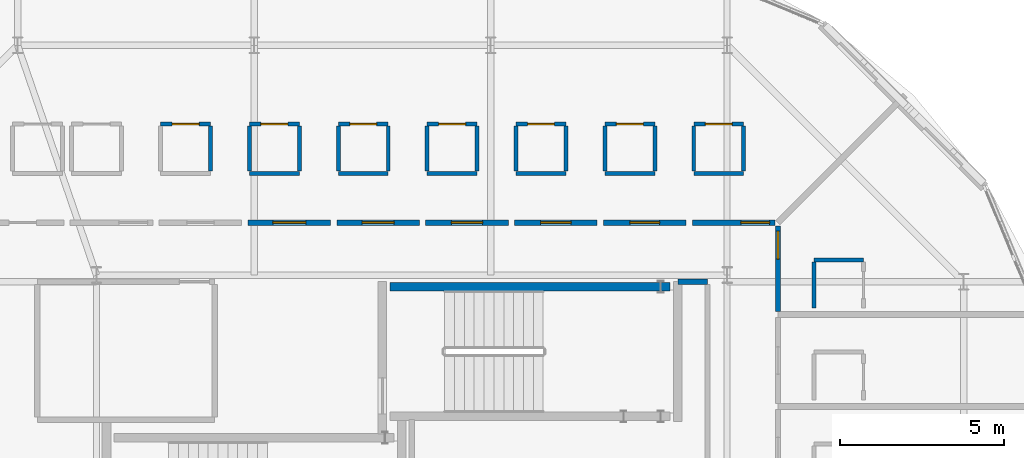
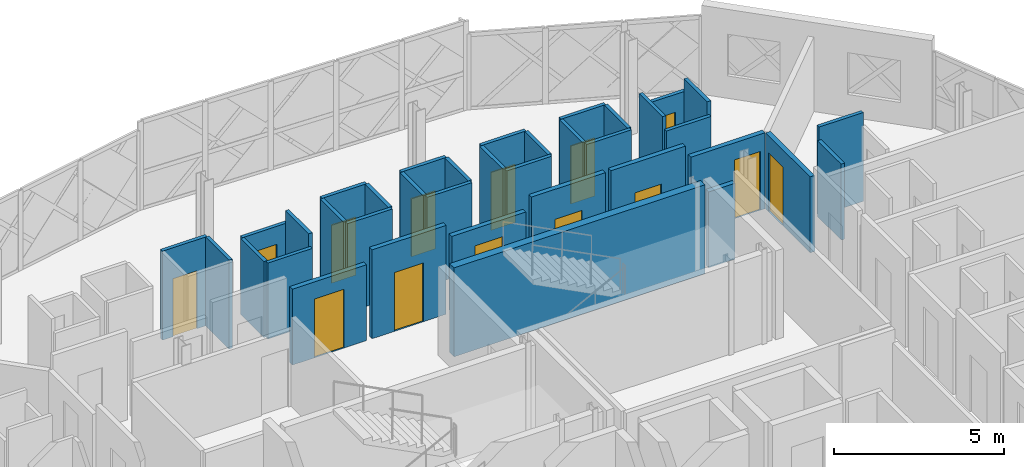
# One storey, part 20 of 26: 37 walls, 14 doors, 14 openings.
"""IFC4 building model written with IfcOpenShell, lengths in metres."""

from ifc_helpers import new_model, si_unit, direction, frame, frame_2d, origin, place, context, subcontext, project, spatial, rectangle, extrude, material, layer, layer_set, type_object, element, fill, save


model = new_model("IFC4")

# Units and contexts
model_context = context("Model", 3, precision=1e-05, world=origin(), true_north=direction((0.0, 1.0)))
body_context = subcontext(model_context, "Body", "Model", "MODEL_VIEW")
ifc_project = project(units=[si_unit("LENGTHUNIT", "METRE"), si_unit("AREAUNIT", "SQUARE_METRE"), si_unit("VOLUMEUNIT", "CUBIC_METRE"), si_unit("PLANEANGLEUNIT", "RADIAN"), si_unit("MASSUNIT", "GRAM", prefix="KILO")], contexts=[model_context])

# Site, building, storey
site_placement = place(None, origin())
site = spatial("IfcSite", under=ifc_project, at=site_placement, CompositionType="ELEMENT")
building_placement = place(site_placement, origin())
building = spatial("IfcBuilding", under=site, at=building_placement, Name="Zevrakil Square Congress Hotel", CompositionType="ELEMENT")
storey_placement = place(building_placement, frame((0.0, 0.0, 24.89990234375)))
storey = spatial("IfcBuildingStorey", under=building, at=storey_placement, Name="L07", CompositionType="ELEMENT", Elevation=24.89990234375)

# Wall
ifc_material_1 = material(Name="Gypsum Acoustic Stud Partition")
ifc_layer_1 = layer(ifc_material_1, 0.159912109375)
ifc_layer_set_1 = layer_set([ifc_layer_1], Name="Gypsum Acoustic Stud Partition")
wall_type_1 = type_object("IfcWallType", Name="WAL-CORR-160", PredefinedType="PARTITIONING", material=ifc_layer_set_1)
wall_1_placement = place(storey_placement, frame((154.5, 38.39990234375, 0.0), z_axis=(0.0, 0.0, 1.0), x_axis=(1.0, 0.0, 0.0)))
element("IfcWall", 1, at=wall_1_placement, inside=storey, type_object=wall_type_1, Name="L07 interior partition PW-L07-0933", PredefinedType="PARTITIONING", context=body_context, shape_type="SweptSolid", body=[
    extrude(rectangle(XDim=0.89990234375, YDim=0.159912109375, at=frame_2d((0.449951171875, 0.0))), origin(), (0.0, 0.0, 1.0), 2.72509765625),
])

# Wall, opening, door
wall_2_placement = place(storey_placement, frame((157.550048828125, 37.4951171875, 0.0), z_axis=(0.0, 0.0, 1.0), x_axis=(0.0, 1.0, 0.0)))
wall_2 = element("IfcWall", 2, at=wall_2_placement, inside=storey, type_object=wall_type_1, Name="L07 interior partition PW-L07-1015", PredefinedType="PARTITIONING", context=body_context, shape_type="SweptSolid", body=[
    extrude(rectangle(XDim=2.60986328125, YDim=0.159912109375, at=frame_2d((1.304931640625, 0.0))), origin(), (0.0, 0.0, 1.0), 2.72509765625),
])
opening_1_placement = place(wall_2_placement, frame((1.594970703125, 0.0, 0.0)))
opening_1 = element("IfcOpeningElement", 3, at=opening_1_placement, cuts=wall_2, Name="Opening ID-G11", PredefinedType="OPENING", context=body_context, shape_type="SweptSolid", body=[
    extrude(rectangle(XDim=0.85498046875, YDim=2.110107421875, at=frame_2d((0.427490234375, 1.05517578125))), frame((0.0, 0.08984375, 0.0), z_axis=(0.0, -1.0, 0.0), x_axis=(1.0, 0.0, 0.0)), (0.0, 0.0, 1.0), 0.179931640625),
])
ifc_material_2 = material(Name="Acoustic Timber Fire Door", Category="wood")
door_type_1 = type_object("IfcDoorType", Name="DOR-INT-G11", OperationType="NOTDEFINED", PredefinedType="DOOR", material=ifc_material_2)
door_1_placement = place(opening_1_placement, origin())
door_1 = element("IfcDoor", 4, at=door_1_placement, inside=storey, type_object=door_type_1, Name="L07 interior door 398", OperationType="SINGLE_SWING_RIGHT", OverallHeight=2.110107421875, OverallWidth=0.85498046875, PredefinedType="DOOR", context=body_context, shape_type="SweptSolid", body=[
    extrude(rectangle(XDim=0.85498046875, YDim=2.110107421875, at=frame_2d((0.427490234375, 1.05517578125))), frame((0.0, 0.02490234375, 0.0), z_axis=(0.0, -1.0, 0.0), x_axis=(1.0, 0.0, 0.0)), (0.0, 0.0, 1.0), 0.050048828125),
])
fill(opening_1, door_1)

wall_3_placement = place(storey_placement, frame((154.939453125, 40.199951171875, 0.0), z_axis=(0.0, 0.0, 1.0), x_axis=(1.0, 0.0, 0.0)))
wall_3 = element("IfcWall", 5, at=wall_3_placement, inside=storey, type_object=wall_type_1, Name="L07 interior partition PW-L07-1020", PredefinedType="PARTITIONING", context=body_context, shape_type="SweptSolid", body=[
    extrude(rectangle(XDim=2.515625, YDim=0.159912109375, at=frame_2d((1.2578125, 0.0))), origin(), (0.0, 0.0, 1.0), 2.72509765625),
])
opening_2_placement = place(wall_3_placement, frame((1.4755859375, 0.0, 0.0)))
opening_2 = element("IfcOpeningElement", 6, at=opening_2_placement, cuts=wall_3, Name="Opening ID-G12", PredefinedType="OPENING", context=body_context, shape_type="SweptSolid", body=[
    extrude(rectangle(XDim=0.8798828125, YDim=2.110107421875, at=frame_2d((0.43994140625, 1.05517578125))), frame((0.0, 0.08984375, 0.0), z_axis=(0.0, -1.0, 0.0), x_axis=(1.0, 0.0, 0.0)), (0.0, 0.0, 1.0), 0.179931640625),
])
ifc_material_3 = material(Name="Acoustic Timber Fire Door", Category="wood")
door_type_2 = type_object("IfcDoorType", Name="DOR-INT-G12", OperationType="NOTDEFINED", PredefinedType="DOOR", material=ifc_material_3)
door_2_placement = place(opening_2_placement, origin())
door_2 = element("IfcDoor", 7, at=door_2_placement, inside=storey, type_object=door_type_2, Name="L07 interior door 400", OperationType="SINGLE_SWING_RIGHT", OverallHeight=2.110107421875, OverallWidth=0.8798828125, PredefinedType="DOOR", context=body_context, shape_type="SweptSolid", body=[
    extrude(rectangle(XDim=0.8798828125, YDim=2.110107421875, at=frame_2d((0.43994140625, 1.05517578125))), frame((0.0, 0.02490234375, 0.0), z_axis=(0.0, -1.0, 0.0), x_axis=(1.0, 0.0, 0.0)), (0.0, 0.0, 1.0), 0.050048828125),
])
fill(opening_2, door_2)

wall_4_placement = place(storey_placement, frame((152.23388671875, 40.199951171875, 0.0), z_axis=(0.0, 0.0, 1.0), x_axis=(1.0, 0.0, 0.0)))
wall_4 = element("IfcWall", 8, at=wall_4_placement, inside=storey, type_object=wall_type_1, Name="L07 interior partition PW-L07-1025", PredefinedType="PARTITIONING", context=body_context, shape_type="SweptSolid", body=[
    extrude(rectangle(XDim=2.515625, YDim=0.159912109375, at=frame_2d((1.2578125, 0.0))), origin(), (0.0, 0.0, 1.0), 3.190185546875),
])
opening_3_placement = place(wall_4_placement, frame((0.805419921875, 0.0, 0.0)))
opening_3 = element("IfcOpeningElement", 9, at=opening_3_placement, cuts=wall_4, Name="Opening ID-G13", PredefinedType="OPENING", context=body_context, shape_type="SweptSolid", body=[
    extrude(rectangle(XDim=0.905029296875, YDim=2.110107421875, at=frame_2d((0.45263671875, 1.05517578125))), frame((0.0, 0.08984375, 0.0), z_axis=(0.0, -1.0, 0.0), x_axis=(1.0, 0.0, 0.0)), (0.0, 0.0, 1.0), 0.179931640625),
])
ifc_material_4 = material(Name="Acoustic Timber Fire Door", Category="wood")
door_type_3 = type_object("IfcDoorType", Name="DOR-INT-G13", OperationType="NOTDEFINED", PredefinedType="DOOR", material=ifc_material_4)
door_3_placement = place(opening_3_placement, origin())
door_3 = element("IfcDoor", 10, at=door_3_placement, inside=storey, type_object=door_type_3, Name="L07 interior door 402", OperationType="SINGLE_SWING_RIGHT", OverallHeight=2.110107421875, OverallWidth=0.905029296875, PredefinedType="DOOR", context=body_context, shape_type="SweptSolid", body=[
    extrude(rectangle(XDim=0.905029296875, YDim=2.110107421875, at=frame_2d((0.45263671875, 1.05517578125))), frame((0.0, 0.02490234375, 0.0), z_axis=(0.0, -1.0, 0.0), x_axis=(1.0, 0.0, 0.0)), (0.0, 0.0, 1.0), 0.050048828125),
])
fill(opening_3, door_3)

wall_5_placement = place(storey_placement, frame((149.5283203125, 40.199951171875, 0.0), z_axis=(0.0, 0.0, 1.0), x_axis=(1.0, 0.0, 0.0)))
wall_5 = element("IfcWall", 11, at=wall_5_placement, inside=storey, type_object=wall_type_1, Name="L07 interior partition PW-L07-1030", PredefinedType="PARTITIONING", context=body_context, shape_type="SweptSolid", body=[
    extrude(rectangle(XDim=2.515625, YDim=0.159912109375, at=frame_2d((1.2578125, 0.0))), origin(), (0.0, 0.0, 1.0), 3.190185546875),
])
opening_4_placement = place(wall_5_placement, frame((0.792724609375, 0.0, 0.0)))
opening_4 = element("IfcOpeningElement", 12, at=opening_4_placement, cuts=wall_5, Name="Opening ID-G14", PredefinedType="OPENING", context=body_context, shape_type="SweptSolid", body=[
    extrude(rectangle(XDim=0.929931640625, YDim=2.110107421875, at=frame_2d((0.46484375, 1.05517578125))), frame((0.0, 0.08984375, 0.0), z_axis=(0.0, -1.0, 0.0), x_axis=(1.0, 0.0, 0.0)), (0.0, 0.0, 1.0), 0.179931640625),
])
ifc_material_5 = material(Name="Acoustic Timber Fire Door", Category="wood")
door_type_4 = type_object("IfcDoorType", Name="DOR-INT-G14", OperationType="NOTDEFINED", PredefinedType="DOOR", material=ifc_material_5)
door_4_placement = place(opening_4_placement, origin())
door_4 = element("IfcDoor", 13, at=door_4_placement, inside=storey, type_object=door_type_4, Name="L07 interior door 404", OperationType="SINGLE_SWING_RIGHT", OverallHeight=2.110107421875, OverallWidth=0.929931640625, PredefinedType="DOOR", context=body_context, shape_type="SweptSolid", body=[
    extrude(rectangle(XDim=0.929931640625, YDim=2.110107421875, at=frame_2d((0.46484375, 1.05517578125))), frame((0.0, 0.02490234375, 0.0), z_axis=(0.0, -1.0, 0.0), x_axis=(1.0, 0.0, 0.0)), (0.0, 0.0, 1.0), 0.050048828125),
])
fill(opening_4, door_4)

wall_6_placement = place(storey_placement, frame((146.82275390625, 40.199951171875, 0.0), z_axis=(0.0, 0.0, 1.0), x_axis=(1.0, 0.0, 0.0)))
wall_6 = element("IfcWall", 14, at=wall_6_placement, inside=storey, type_object=wall_type_1, Name="L07 interior partition PW-L07-1035", PredefinedType="PARTITIONING", context=body_context, shape_type="SweptSolid", body=[
    extrude(rectangle(XDim=2.515625, YDim=0.159912109375, at=frame_2d((1.2578125, 0.0))), origin(), (0.0, 0.0, 1.0), 2.72509765625),
])
opening_5_placement = place(wall_6_placement, frame((0.7802734375, 0.0, 0.0)))
opening_5 = element("IfcOpeningElement", 15, at=opening_5_placement, cuts=wall_6, Name="Opening ID-G15", PredefinedType="OPENING", context=body_context, shape_type="SweptSolid", body=[
    extrude(rectangle(XDim=0.955078125, YDim=2.110107421875, at=frame_2d((0.4775390625, 1.05517578125))), frame((0.0, 0.08984375, 0.0), z_axis=(0.0, -1.0, 0.0), x_axis=(1.0, 0.0, 0.0)), (0.0, 0.0, 1.0), 0.179931640625),
])
ifc_material_6 = material(Name="Acoustic Timber Fire Door", Category="wood")
door_type_5 = type_object("IfcDoorType", Name="DOR-INT-G15", OperationType="NOTDEFINED", PredefinedType="DOOR", material=ifc_material_6)
door_5_placement = place(opening_5_placement, origin())
door_5 = element("IfcDoor", 16, at=door_5_placement, inside=storey, type_object=door_type_5, Name="L07 interior door 406", OperationType="SINGLE_SWING_RIGHT", OverallHeight=2.110107421875, OverallWidth=0.955078125, PredefinedType="DOOR", context=body_context, shape_type="SweptSolid", body=[
    extrude(rectangle(XDim=0.955078125, YDim=2.110107421875, at=frame_2d((0.4775390625, 1.05517578125))), frame((0.0, 0.02490234375, 0.0), z_axis=(0.0, -1.0, 0.0), x_axis=(1.0, 0.0, 0.0)), (0.0, 0.0, 1.0), 0.050048828125),
])
fill(opening_5, door_5)

wall_7_placement = place(storey_placement, frame((144.1171875, 40.199951171875, 0.0), z_axis=(0.0, 0.0, 1.0), x_axis=(1.0, 0.0, 0.0)))
wall_7 = element("IfcWall", 17, at=wall_7_placement, inside=storey, type_object=wall_type_1, Name="L07 interior partition PW-L07-1040", PredefinedType="PARTITIONING", context=body_context, shape_type="SweptSolid", body=[
    extrude(rectangle(XDim=2.515625, YDim=0.159912109375, at=frame_2d((1.2578125, 0.0))), origin(), (0.0, 0.0, 1.0), 3.190185546875),
])
opening_6_placement = place(wall_7_placement, frame((0.767822265625, 0.0, 0.0)))
opening_6 = element("IfcOpeningElement", 18, at=opening_6_placement, cuts=wall_7, Name="Opening ID-G16", PredefinedType="OPENING", context=body_context, shape_type="SweptSolid", body=[
    extrude(rectangle(XDim=0.97998046875, YDim=2.110107421875, at=frame_2d((0.489990234375, 1.05517578125))), frame((0.0, 0.08984375, 0.0), z_axis=(0.0, -1.0, 0.0), x_axis=(1.0, 0.0, 0.0)), (0.0, 0.0, 1.0), 0.179931640625),
])
ifc_material_7 = material(Name="Acoustic Timber Fire Door", Category="wood")
door_type_6 = type_object("IfcDoorType", Name="DOR-INT-G16", OperationType="NOTDEFINED", PredefinedType="DOOR", material=ifc_material_7)
door_6_placement = place(opening_6_placement, origin())
door_6 = element("IfcDoor", 19, at=door_6_placement, inside=storey, type_object=door_type_6, Name="L07 interior door 408", OperationType="SINGLE_SWING_RIGHT", OverallHeight=2.110107421875, OverallWidth=0.97998046875, PredefinedType="DOOR", context=body_context, shape_type="SweptSolid", body=[
    extrude(rectangle(XDim=0.97998046875, YDim=2.110107421875, at=frame_2d((0.489990234375, 1.05517578125))), frame((0.0, 0.02490234375, 0.0), z_axis=(0.0, -1.0, 0.0), x_axis=(1.0, 0.0, 0.0)), (0.0, 0.0, 1.0), 0.050048828125),
])
fill(opening_6, door_6)

wall_8_placement = place(storey_placement, frame((141.41162109375, 40.199951171875, 0.0), z_axis=(0.0, 0.0, 1.0), x_axis=(1.0, 0.0, 0.0)))
wall_8 = element("IfcWall", 20, at=wall_8_placement, inside=storey, type_object=wall_type_1, Name="L07 interior partition PW-L07-1045", PredefinedType="PARTITIONING", context=body_context, shape_type="SweptSolid", body=[
    extrude(rectangle(XDim=2.515625, YDim=0.159912109375, at=frame_2d((1.2578125, 0.0))), origin(), (0.0, 0.0, 1.0), 2.72509765625),
])
opening_7_placement = place(wall_8_placement, frame((0.75537109375, 0.0, 0.0)))
opening_7 = element("IfcOpeningElement", 21, at=opening_7_placement, cuts=wall_8, Name="Opening ID-G17", PredefinedType="OPENING", context=body_context, shape_type="SweptSolid", body=[
    extrude(rectangle(XDim=1.0048828125, YDim=2.110107421875, at=frame_2d((0.50244140625, 1.05517578125))), frame((0.0, 0.08984375, 0.0), z_axis=(0.0, -1.0, 0.0), x_axis=(1.0, 0.0, 0.0)), (0.0, 0.0, 1.0), 0.179931640625),
])
ifc_material_8 = material(Name="Acoustic Timber Fire Door", Category="wood")
door_type_7 = type_object("IfcDoorType", Name="DOR-INT-G17", OperationType="NOTDEFINED", PredefinedType="DOOR", material=ifc_material_8)
door_7_placement = place(opening_7_placement, origin())
door_7 = element("IfcDoor", 22, at=door_7_placement, inside=storey, type_object=door_type_7, Name="L07 interior door 410", OperationType="SINGLE_SWING_RIGHT", OverallHeight=2.110107421875, OverallWidth=1.0048828125, PredefinedType="DOOR", context=body_context, shape_type="SweptSolid", body=[
    extrude(rectangle(XDim=1.0048828125, YDim=2.110107421875, at=frame_2d((0.50244140625, 1.05517578125))), frame((0.0, 0.02490234375, 0.0), z_axis=(0.0, -1.0, 0.0), x_axis=(1.0, 0.0, 0.0)), (0.0, 0.0, 1.0), 0.050048828125),
])
fill(opening_7, door_7)

# Walls
ifc_material_9 = material(Name="Moisture-Resistant Gypsum Partition")
ifc_layer_2 = layer(ifc_material_9, 0.1201171875)
ifc_layer_set_2 = layer_set([ifc_layer_2], Name="Moisture-Resistant Gypsum Partition")
wall_type_2 = type_object("IfcWallType", Name="WAL-ENS-120", PredefinedType="PARTITIONING", material=ifc_layer_set_2)
wall_9_placement = place(storey_placement, frame((158.64990234375, 39.06005859375, 0.0), z_axis=(0.0, 0.0, 1.0), x_axis=(1.0, 0.0, 0.0)))
element("IfcWall", 23, at=wall_9_placement, inside=storey, type_object=wall_type_2, Name="L07 interior partition PW-L07-1016", PredefinedType="PARTITIONING", context=body_context, shape_type="SweptSolid", body=[
    extrude(rectangle(XDim=1.5, YDim=0.1201171875, at=frame_2d((0.75, 0.0))), origin(), (0.0, 0.0, 1.0), 3.190185546875),
])
wall_10_placement = place(storey_placement, frame((158.64990234375, 37.60498046875, 0.0), z_axis=(0.0, 0.0, 1.0), x_axis=(0.0, 1.0, 0.0)))
element("IfcWall", 24, at=wall_10_placement, inside=storey, type_object=wall_type_2, Name="L07 interior partition PW-L07-1017", PredefinedType="PARTITIONING", context=body_context, shape_type="SweptSolid", body=[
    extrude(rectangle(XDim=1.39013671875, YDim=0.1201171875, at=frame_2d((0.695068359375, 0.0))), origin(), (0.0, 0.0, 1.0), 2.72509765625),
])
wall_11_placement = place(storey_placement, frame((154.984375, 41.699951171875, 0.0), z_axis=(0.0, 0.0, 1.0), x_axis=(1.0, 0.0, 0.0)))
element("IfcWall", 25, at=wall_11_placement, inside=storey, type_object=wall_type_2, Name="L07 interior partition PW-L07-1021", PredefinedType="PARTITIONING", context=body_context, shape_type="SweptSolid", body=[
    extrude(rectangle(XDim=1.52001953125, YDim=0.1201171875, at=frame_2d((0.760009765625, 0.0))), origin(), (0.0, 0.0, 1.0), 2.72509765625),
])

# Wall, opening, door
wall_12_placement = place(storey_placement, frame((154.984375, 43.199951171875, 0.0), z_axis=(0.0, 0.0, 1.0), x_axis=(1.0, 0.0, 0.0)))
wall_12 = element("IfcWall", 26, at=wall_12_placement, inside=storey, type_object=wall_type_2, Name="L07 interior partition PW-L07-1022", PredefinedType="PARTITIONING", context=body_context, shape_type="SweptSolid", body=[
    extrude(rectangle(XDim=1.52001953125, YDim=0.1201171875, at=frame_2d((0.760009765625, 0.0))), origin(), (0.0, 0.0, 1.0), 2.72509765625),
])
opening_8_placement = place(wall_12_placement, frame((0.35009765625, 0.0, 0.0)))
opening_8 = element("IfcOpeningElement", 27, at=opening_8_placement, cuts=wall_12, Name="Opening ID-11", PredefinedType="OPENING", context=body_context, shape_type="SweptSolid", body=[
    extrude(rectangle(XDim=0.820068359375, YDim=2.080078125, at=frame_2d((0.41015625, 1.0400390625))), frame((0.0, 0.070068359375, 0.0), z_axis=(0.0, -1.0, 0.0), x_axis=(1.0, 0.0, 0.0)), (0.0, 0.0, 1.0), 0.14013671875),
])
ifc_material_10 = material(Name="Acoustic Timber Door", Category="wood")
door_type_8 = type_object("IfcDoorType", Name="DOR-INT-V01", OperationType="NOTDEFINED", PredefinedType="DOOR", material=ifc_material_10)
door_8_placement = place(opening_8_placement, origin())
door_8 = element("IfcDoor", 28, at=door_8_placement, inside=storey, type_object=door_type_8, Name="L07 interior door 401", OperationType="SINGLE_SWING_LEFT", OverallHeight=2.080078125, OverallWidth=0.820068359375, PredefinedType="DOOR", context=body_context, shape_type="SweptSolid", body=[
    extrude(rectangle(XDim=0.820068359375, YDim=2.080078125, at=frame_2d((0.41015625, 1.0400390625))), frame((0.0, 0.02490234375, 0.0), z_axis=(0.0, -1.0, 0.0), x_axis=(1.0, 0.0, 0.0)), (0.0, 0.0, 1.0), 0.050048828125),
])
fill(opening_8, door_8)

# Walls
for number, where, z_axis, x_axis, name in (
    (29, (154.984375, 41.764892578125, 0.0), (0.0, 0.0, 1.0), (0.0, 1.0, 0.0), "L07 interior partition PW-L07-1023"),
    (30, (156.50439453125, 41.764892578125, 0.0), (0.0, 0.0, 1.0), (0.0, 1.0, 0.0), "L07 interior partition PW-L07-1024"),
):
    element("IfcWall", number, at=place(storey_placement, frame(where, z_axis=z_axis, x_axis=x_axis)), inside=storey, type_object=wall_type_2, Name=name, PredefinedType="PARTITIONING", context=body_context, shape_type="SweptSolid", body=[
        extrude(rectangle(XDim=1.3701171875, YDim=0.1201171875, at=frame_2d((0.68505859375, 0.0))), origin(), (0.0, 0.0, 1.0), 3.190185546875),
    ])
wall_13_placement = place(storey_placement, frame((152.27880859375, 41.699951171875, 0.0), z_axis=(0.0, 0.0, 1.0), x_axis=(1.0, 0.0, 0.0)))
element("IfcWall", 31, at=wall_13_placement, inside=storey, type_object=wall_type_2, Name="L07 interior partition PW-L07-1026", PredefinedType="PARTITIONING", context=body_context, shape_type="SweptSolid", body=[
    extrude(rectangle(XDim=1.52001953125, YDim=0.1201171875, at=frame_2d((0.760009765625, 0.0))), origin(), (0.0, 0.0, 1.0), 3.190185546875),
])

# Wall, opening, door
wall_14_placement = place(storey_placement, frame((152.27880859375, 43.199951171875, 0.0), z_axis=(0.0, 0.0, 1.0), x_axis=(1.0, 0.0, 0.0)))
wall_14 = element("IfcWall", 32, at=wall_14_placement, inside=storey, type_object=wall_type_2, Name="L07 interior partition PW-L07-1027", PredefinedType="PARTITIONING", context=body_context, shape_type="SweptSolid", body=[
    extrude(rectangle(XDim=1.52001953125, YDim=0.1201171875, at=frame_2d((0.760009765625, 0.0))), origin(), (0.0, 0.0, 1.0), 3.190185546875),
])
opening_9_placement = place(wall_14_placement, frame((0.35009765625, 0.0, 0.0)))
opening_9 = element("IfcOpeningElement", 33, at=opening_9_placement, cuts=wall_14, Name="Opening ID-11", PredefinedType="OPENING", context=body_context, shape_type="SweptSolid", body=[
    extrude(rectangle(XDim=0.820068359375, YDim=2.080078125, at=frame_2d((0.41015625, 1.0400390625))), frame((0.0, 0.070068359375, 0.0), z_axis=(0.0, -1.0, 0.0), x_axis=(1.0, 0.0, 0.0)), (0.0, 0.0, 1.0), 0.14013671875),
])
door_9_placement = place(opening_9_placement, origin())
door_9 = element("IfcDoor", 34, at=door_9_placement, inside=storey, type_object=door_type_8, Name="L07 interior door 403", OperationType="SINGLE_SWING_LEFT", OverallHeight=2.080078125, OverallWidth=0.820068359375, PredefinedType="DOOR", context=body_context, shape_type="SweptSolid", body=[
    extrude(rectangle(XDim=0.820068359375, YDim=2.080078125, at=frame_2d((0.41015625, 1.0400390625))), frame((0.0, 0.02490234375, 0.0), z_axis=(0.0, -1.0, 0.0), x_axis=(1.0, 0.0, 0.0)), (0.0, 0.0, 1.0), 0.050048828125),
])
fill(opening_9, door_9)

# Walls
for number, where, z_axis, x_axis, name in (
    (35, (152.27880859375, 41.764892578125, 0.0), (0.0, 0.0, 1.0), (0.0, 1.0, 0.0), "L07 interior partition PW-L07-1028"),
    (36, (153.798828125, 41.764892578125, 0.0), (0.0, 0.0, 1.0), (0.0, 1.0, 0.0), "L07 interior partition PW-L07-1029"),
):
    element("IfcWall", number, at=place(storey_placement, frame(where, z_axis=z_axis, x_axis=x_axis)), inside=storey, type_object=wall_type_2, Name=name, PredefinedType="PARTITIONING", context=body_context, shape_type="SweptSolid", body=[
        extrude(rectangle(XDim=1.3701171875, YDim=0.1201171875, at=frame_2d((0.68505859375, 0.0))), origin(), (0.0, 0.0, 1.0), 3.190185546875),
    ])
wall_15_placement = place(storey_placement, frame((149.5732421875, 41.699951171875, 0.0), z_axis=(0.0, 0.0, 1.0), x_axis=(1.0, 0.0, 0.0)))
element("IfcWall", 37, at=wall_15_placement, inside=storey, type_object=wall_type_2, Name="L07 interior partition PW-L07-1031", PredefinedType="PARTITIONING", context=body_context, shape_type="SweptSolid", body=[
    extrude(rectangle(XDim=1.52001953125, YDim=0.1201171875, at=frame_2d((0.760009765625, 0.0))), origin(), (0.0, 0.0, 1.0), 3.190185546875),
])

# Wall, opening, door
wall_16_placement = place(storey_placement, frame((149.5732421875, 43.199951171875, 0.0), z_axis=(0.0, 0.0, 1.0), x_axis=(1.0, 0.0, 0.0)))
wall_16 = element("IfcWall", 38, at=wall_16_placement, inside=storey, type_object=wall_type_2, Name="L07 interior partition PW-L07-1032", PredefinedType="PARTITIONING", context=body_context, shape_type="SweptSolid", body=[
    extrude(rectangle(XDim=1.52001953125, YDim=0.1201171875, at=frame_2d((0.760009765625, 0.0))), origin(), (0.0, 0.0, 1.0), 3.190185546875),
])
opening_10_placement = place(wall_16_placement, frame((0.35009765625, 0.0, 0.0)))
opening_10 = element("IfcOpeningElement", 39, at=opening_10_placement, cuts=wall_16, Name="Opening ID-11", PredefinedType="OPENING", context=body_context, shape_type="SweptSolid", body=[
    extrude(rectangle(XDim=0.820068359375, YDim=2.080078125, at=frame_2d((0.41015625, 1.0400390625))), frame((0.0, 0.070068359375, 0.0), z_axis=(0.0, -1.0, 0.0), x_axis=(1.0, 0.0, 0.0)), (0.0, 0.0, 1.0), 0.14013671875),
])
door_10_placement = place(opening_10_placement, origin())
door_10 = element("IfcDoor", 40, at=door_10_placement, inside=storey, type_object=door_type_8, Name="L07 interior door 405", OperationType="SINGLE_SWING_LEFT", OverallHeight=2.080078125, OverallWidth=0.820068359375, PredefinedType="DOOR", context=body_context, shape_type="SweptSolid", body=[
    extrude(rectangle(XDim=0.820068359375, YDim=2.080078125, at=frame_2d((0.41015625, 1.0400390625))), frame((0.0, 0.02490234375, 0.0), z_axis=(0.0, -1.0, 0.0), x_axis=(1.0, 0.0, 0.0)), (0.0, 0.0, 1.0), 0.050048828125),
])
fill(opening_10, door_10)

# Walls
for number, where, z_axis, x_axis, name in (
    (41, (149.5732421875, 41.764892578125, 0.0), (0.0, 0.0, 1.0), (0.0, 1.0, 0.0), "L07 interior partition PW-L07-1033"),
    (42, (151.09326171875, 41.764892578125, 0.0), (0.0, 0.0, 1.0), (0.0, 1.0, 0.0), "L07 interior partition PW-L07-1034"),
):
    element("IfcWall", number, at=place(storey_placement, frame(where, z_axis=z_axis, x_axis=x_axis)), inside=storey, type_object=wall_type_2, Name=name, PredefinedType="PARTITIONING", context=body_context, shape_type="SweptSolid", body=[
        extrude(rectangle(XDim=1.3701171875, YDim=0.1201171875, at=frame_2d((0.68505859375, 0.0))), origin(), (0.0, 0.0, 1.0), 3.190185546875),
    ])
wall_17_placement = place(storey_placement, frame((146.86767578125, 41.699951171875, 0.0), z_axis=(0.0, 0.0, 1.0), x_axis=(1.0, 0.0, 0.0)))
element("IfcWall", 43, at=wall_17_placement, inside=storey, type_object=wall_type_2, Name="L07 interior partition PW-L07-1036", PredefinedType="PARTITIONING", context=body_context, shape_type="SweptSolid", body=[
    extrude(rectangle(XDim=1.52001953125, YDim=0.1201171875, at=frame_2d((0.760009765625, 0.0))), origin(), (0.0, 0.0, 1.0), 3.190185546875),
])

# Wall, opening, door
wall_18_placement = place(storey_placement, frame((146.86767578125, 43.199951171875, 0.0), z_axis=(0.0, 0.0, 1.0), x_axis=(1.0, 0.0, 0.0)))
wall_18 = element("IfcWall", 44, at=wall_18_placement, inside=storey, type_object=wall_type_2, Name="L07 interior partition PW-L07-1037", PredefinedType="PARTITIONING", context=body_context, shape_type="SweptSolid", body=[
    extrude(rectangle(XDim=1.52001953125, YDim=0.1201171875, at=frame_2d((0.760009765625, 0.0))), origin(), (0.0, 0.0, 1.0), 3.190185546875),
])
opening_11_placement = place(wall_18_placement, frame((0.35009765625, 0.0, 0.0)))
opening_11 = element("IfcOpeningElement", 45, at=opening_11_placement, cuts=wall_18, Name="Opening ID-11", PredefinedType="OPENING", context=body_context, shape_type="SweptSolid", body=[
    extrude(rectangle(XDim=0.820068359375, YDim=2.080078125, at=frame_2d((0.41015625, 1.0400390625))), frame((0.0, 0.070068359375, 0.0), z_axis=(0.0, -1.0, 0.0), x_axis=(1.0, 0.0, 0.0)), (0.0, 0.0, 1.0), 0.14013671875),
])
door_11_placement = place(opening_11_placement, origin())
door_11 = element("IfcDoor", 46, at=door_11_placement, inside=storey, type_object=door_type_8, Name="L07 interior door 407", OperationType="SINGLE_SWING_LEFT", OverallHeight=2.080078125, OverallWidth=0.820068359375, PredefinedType="DOOR", context=body_context, shape_type="SweptSolid", body=[
    extrude(rectangle(XDim=0.820068359375, YDim=2.080078125, at=frame_2d((0.41015625, 1.0400390625))), frame((0.0, 0.02490234375, 0.0), z_axis=(0.0, -1.0, 0.0), x_axis=(1.0, 0.0, 0.0)), (0.0, 0.0, 1.0), 0.050048828125),
])
fill(opening_11, door_11)

# Walls
for number, where, z_axis, x_axis, name in (
    (47, (146.86767578125, 41.764892578125, 0.0), (0.0, 0.0, 1.0), (0.0, 1.0, 0.0), "L07 interior partition PW-L07-1038"),
    (48, (148.3876953125, 41.764892578125, 0.0), (0.0, 0.0, 1.0), (0.0, 1.0, 0.0), "L07 interior partition PW-L07-1039"),
):
    element("IfcWall", number, at=place(storey_placement, frame(where, z_axis=z_axis, x_axis=x_axis)), inside=storey, type_object=wall_type_2, Name=name, PredefinedType="PARTITIONING", context=body_context, shape_type="SweptSolid", body=[
        extrude(rectangle(XDim=1.3701171875, YDim=0.1201171875, at=frame_2d((0.68505859375, 0.0))), origin(), (0.0, 0.0, 1.0), 3.190185546875),
    ])
wall_19_placement = place(storey_placement, frame((144.162109375, 41.699951171875, 0.0), z_axis=(0.0, 0.0, 1.0), x_axis=(1.0, 0.0, 0.0)))
element("IfcWall", 49, at=wall_19_placement, inside=storey, type_object=wall_type_2, Name="L07 interior partition PW-L07-1041", PredefinedType="PARTITIONING", context=body_context, shape_type="SweptSolid", body=[
    extrude(rectangle(XDim=1.52001953125, YDim=0.1201171875, at=frame_2d((0.760009765625, 0.0))), origin(), (0.0, 0.0, 1.0), 3.190185546875),
])

# Wall, opening, door
wall_20_placement = place(storey_placement, frame((144.162109375, 43.199951171875, 0.0), z_axis=(0.0, 0.0, 1.0), x_axis=(1.0, 0.0, 0.0)))
wall_20 = element("IfcWall", 50, at=wall_20_placement, inside=storey, type_object=wall_type_2, Name="L07 interior partition PW-L07-1042", PredefinedType="PARTITIONING", context=body_context, shape_type="SweptSolid", body=[
    extrude(rectangle(XDim=1.52001953125, YDim=0.1201171875, at=frame_2d((0.760009765625, 0.0))), origin(), (0.0, 0.0, 1.0), 3.190185546875),
])
opening_12_placement = place(wall_20_placement, frame((0.35009765625, 0.0, 0.0)))
opening_12 = element("IfcOpeningElement", 51, at=opening_12_placement, cuts=wall_20, Name="Opening ID-11", PredefinedType="OPENING", context=body_context, shape_type="SweptSolid", body=[
    extrude(rectangle(XDim=0.820068359375, YDim=2.080078125, at=frame_2d((0.41015625, 1.0400390625))), frame((0.0, 0.070068359375, 0.0), z_axis=(0.0, -1.0, 0.0), x_axis=(1.0, 0.0, 0.0)), (0.0, 0.0, 1.0), 0.14013671875),
])
door_12_placement = place(opening_12_placement, origin())
door_12 = element("IfcDoor", 52, at=door_12_placement, inside=storey, type_object=door_type_8, Name="L07 interior door 409", OperationType="SINGLE_SWING_LEFT", OverallHeight=2.080078125, OverallWidth=0.820068359375, PredefinedType="DOOR", context=body_context, shape_type="SweptSolid", body=[
    extrude(rectangle(XDim=0.820068359375, YDim=2.080078125, at=frame_2d((0.41015625, 1.0400390625))), frame((0.0, 0.02490234375, 0.0), z_axis=(0.0, -1.0, 0.0), x_axis=(1.0, 0.0, 0.0)), (0.0, 0.0, 1.0), 0.050048828125),
])
fill(opening_12, door_12)

# Walls
for number, where, z_axis, x_axis, name in (
    (53, (144.162109375, 41.764892578125, 0.0), (0.0, 0.0, 1.0), (0.0, 1.0, 0.0), "L07 interior partition PW-L07-1043"),
    (54, (145.68212890625, 41.764892578125, 0.0), (0.0, 0.0, 1.0), (0.0, 1.0, 0.0), "L07 interior partition PW-L07-1044"),
):
    element("IfcWall", number, at=place(storey_placement, frame(where, z_axis=z_axis, x_axis=x_axis)), inside=storey, type_object=wall_type_2, Name=name, PredefinedType="PARTITIONING", context=body_context, shape_type="SweptSolid", body=[
        extrude(rectangle(XDim=1.3701171875, YDim=0.1201171875, at=frame_2d((0.68505859375, 0.0))), origin(), (0.0, 0.0, 1.0), 3.190185546875),
    ])
wall_21_placement = place(storey_placement, frame((141.45654296875, 41.699951171875, 0.0), z_axis=(0.0, 0.0, 1.0), x_axis=(1.0, 0.0, 0.0)))
element("IfcWall", 55, at=wall_21_placement, inside=storey, type_object=wall_type_2, Name="L07 interior partition PW-L07-1046", PredefinedType="PARTITIONING", context=body_context, shape_type="SweptSolid", body=[
    extrude(rectangle(XDim=1.52001953125, YDim=0.1201171875, at=frame_2d((0.760009765625, 0.0))), origin(), (0.0, 0.0, 1.0), 2.72509765625),
])

# Wall, opening, door
wall_22_placement = place(storey_placement, frame((141.45654296875, 43.199951171875, 0.0), z_axis=(0.0, 0.0, 1.0), x_axis=(1.0, 0.0, 0.0)))
wall_22 = element("IfcWall", 56, at=wall_22_placement, inside=storey, type_object=wall_type_2, Name="L07 interior partition PW-L07-1047", PredefinedType="PARTITIONING", context=body_context, shape_type="SweptSolid", body=[
    extrude(rectangle(XDim=1.52001953125, YDim=0.1201171875, at=frame_2d((0.760009765625, 0.0))), origin(), (0.0, 0.0, 1.0), 2.72509765625),
])
opening_13_placement = place(wall_22_placement, frame((0.35009765625, 0.0, 0.0)))
opening_13 = element("IfcOpeningElement", 57, at=opening_13_placement, cuts=wall_22, Name="Opening ID-11", PredefinedType="OPENING", context=body_context, shape_type="SweptSolid", body=[
    extrude(rectangle(XDim=0.820068359375, YDim=2.080078125, at=frame_2d((0.41015625, 1.0400390625))), frame((0.0, 0.070068359375, 0.0), z_axis=(0.0, -1.0, 0.0), x_axis=(1.0, 0.0, 0.0)), (0.0, 0.0, 1.0), 0.14013671875),
])
door_13_placement = place(opening_13_placement, origin())
door_13 = element("IfcDoor", 58, at=door_13_placement, inside=storey, type_object=door_type_8, Name="L07 interior door 411", OperationType="SINGLE_SWING_LEFT", OverallHeight=2.080078125, OverallWidth=0.820068359375, PredefinedType="DOOR", context=body_context, shape_type="SweptSolid", body=[
    extrude(rectangle(XDim=0.820068359375, YDim=2.080078125, at=frame_2d((0.41015625, 1.0400390625))), frame((0.0, 0.02490234375, 0.0), z_axis=(0.0, -1.0, 0.0), x_axis=(1.0, 0.0, 0.0)), (0.0, 0.0, 1.0), 0.050048828125),
])
fill(opening_13, door_13)

# Walls
wall_23_placement = place(storey_placement, frame((141.45654296875, 41.764892578125, 0.0), z_axis=(0.0, 0.0, 1.0), x_axis=(0.0, 1.0, 0.0)))
element("IfcWall", 59, at=wall_23_placement, inside=storey, type_object=wall_type_2, Name="L07 interior partition PW-L07-1048", PredefinedType="PARTITIONING", context=body_context, shape_type="SweptSolid", body=[
    extrude(rectangle(XDim=1.3701171875, YDim=0.1201171875, at=frame_2d((0.68505859375, 0.0))), origin(), (0.0, 0.0, 1.0), 2.72509765625),
])
wall_24_placement = place(storey_placement, frame((142.9765625, 41.764892578125, 0.0), z_axis=(0.0, 0.0, 1.0), x_axis=(0.0, 1.0, 0.0)))
element("IfcWall", 60, at=wall_24_placement, inside=storey, type_object=wall_type_2, Name="L07 interior partition PW-L07-1049", PredefinedType="PARTITIONING", context=body_context, shape_type="SweptSolid", body=[
    extrude(rectangle(XDim=1.3701171875, YDim=0.1201171875, at=frame_2d((0.68505859375, 0.0))), origin(), (0.0, 0.0, 1.0), 3.190185546875),
])

# Wall, opening, door
wall_25_placement = place(storey_placement, frame((138.751220703125, 43.199951171875, 0.0), z_axis=(0.0, 0.0, 1.0), x_axis=(1.0, 0.0, 0.0)))
wall_25 = element("IfcWall", 61, at=wall_25_placement, inside=storey, type_object=wall_type_2, Name="L07 interior partition PW-L07-1052", PredefinedType="PARTITIONING", context=body_context, shape_type="SweptSolid", body=[
    extrude(rectangle(XDim=1.519775390625, YDim=0.1201171875, at=frame_2d((0.759765625, 0.0))), origin(), (0.0, 0.0, 1.0), 3.190185546875),
])
opening_14_placement = place(wall_25_placement, frame((0.35009765625, 0.0, 0.0)))
opening_14 = element("IfcOpeningElement", 62, at=opening_14_placement, cuts=wall_25, Name="Opening ID-11", PredefinedType="OPENING", context=body_context, shape_type="SweptSolid", body=[
    extrude(rectangle(XDim=0.820068359375, YDim=2.080078125, at=frame_2d((0.41015625, 1.0400390625))), frame((0.0, 0.070068359375, 0.0), z_axis=(0.0, -1.0, 0.0), x_axis=(1.0, 0.0, 0.0)), (0.0, 0.0, 1.0), 0.14013671875),
])
door_14_placement = place(opening_14_placement, origin())
door_14 = element("IfcDoor", 63, at=door_14_placement, inside=storey, type_object=door_type_8, Name="L07 interior door 413", OperationType="SINGLE_SWING_LEFT", OverallHeight=2.080078125, OverallWidth=0.820068359375, PredefinedType="DOOR", context=body_context, shape_type="SweptSolid", body=[
    extrude(rectangle(XDim=0.820068359375, YDim=2.080078125, at=frame_2d((0.41015625, 1.0400390625))), frame((0.0, 0.02490234375, 0.0), z_axis=(0.0, -1.0, 0.0), x_axis=(1.0, 0.0, 0.0)), (0.0, 0.0, 1.0), 0.050048828125),
])
fill(opening_14, door_14)

# Walls
wall_26_placement = place(storey_placement, frame((140.27099609375, 41.764892578125, 0.0), z_axis=(0.0, 0.0, 1.0), x_axis=(0.0, 1.0, 0.0)))
element("IfcWall", 64, at=wall_26_placement, inside=storey, type_object=wall_type_2, Name="L07 interior partition PW-L07-1054", PredefinedType="PARTITIONING", context=body_context, shape_type="SweptSolid", body=[
    extrude(rectangle(XDim=1.3701171875, YDim=0.1201171875, at=frame_2d((0.68505859375, 0.0))), origin(), (0.0, 0.0, 1.0), 3.190185546875),
])
ifc_material_11 = material(Name="Concrete C40/50", Category="concrete")
ifc_layer_3 = layer(ifc_material_11, 0.260009765625)
ifc_layer_set_3 = layer_set([ifc_layer_3], Name="Concrete C40/50")
wall_type_3 = type_object("IfcWallType", Name="WAL-SHAFT-260", PredefinedType="SHEAR", material=ifc_layer_set_3)
wall_27_placement = place(storey_placement, frame((145.739990234375, 38.2451171875, 0.0), z_axis=(0.0, 0.0, 1.0), x_axis=(1.0, 0.0, 0.0)))
element("IfcWall", 65, at=wall_27_placement, inside=storey, type_object=wall_type_3, Name="L07 ST03 stair shaft N wall", PredefinedType="SHEAR", context=body_context, shape_type="SweptSolid", body=[
    extrude(rectangle(XDim=8.52001953125, YDim=0.260009765625, at=frame_2d((4.260009765625, 0.0))), origin(), (0.0, 0.0, 1.0), 3.190185546875),
])

save(model, "model.ifc")
